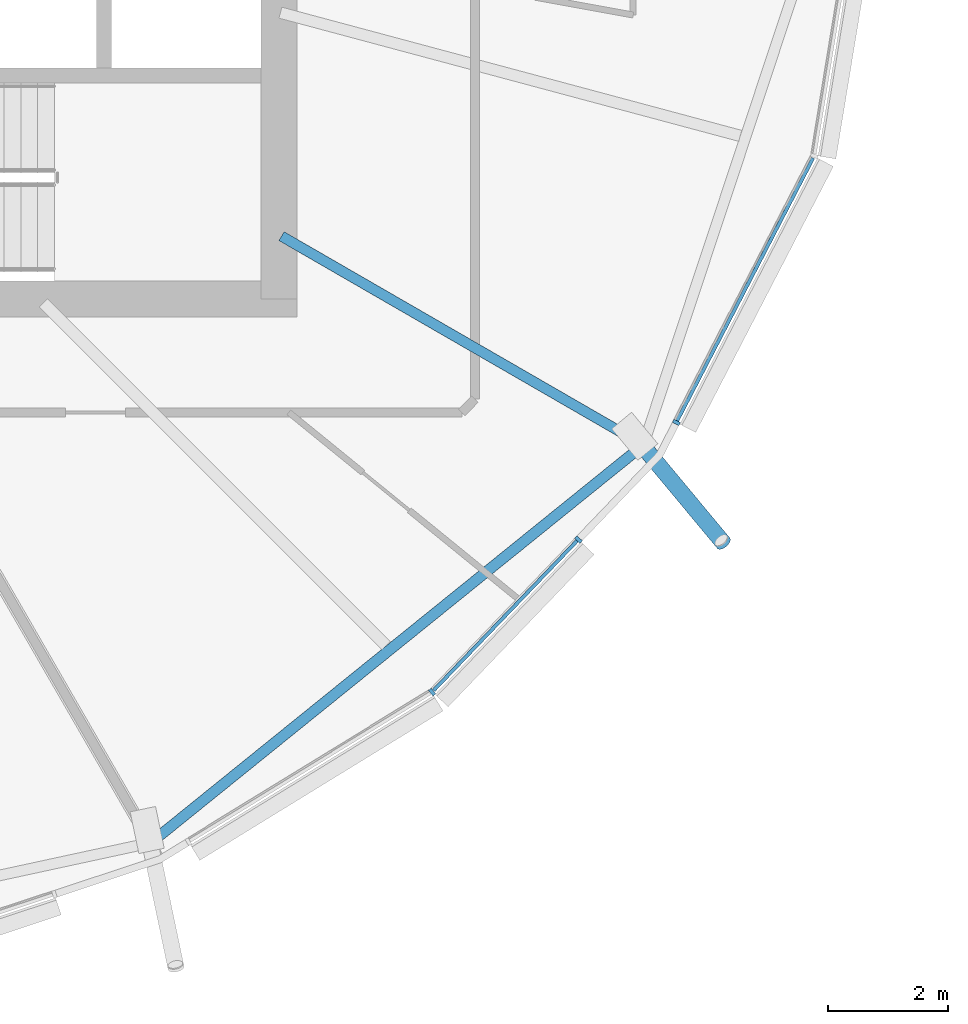
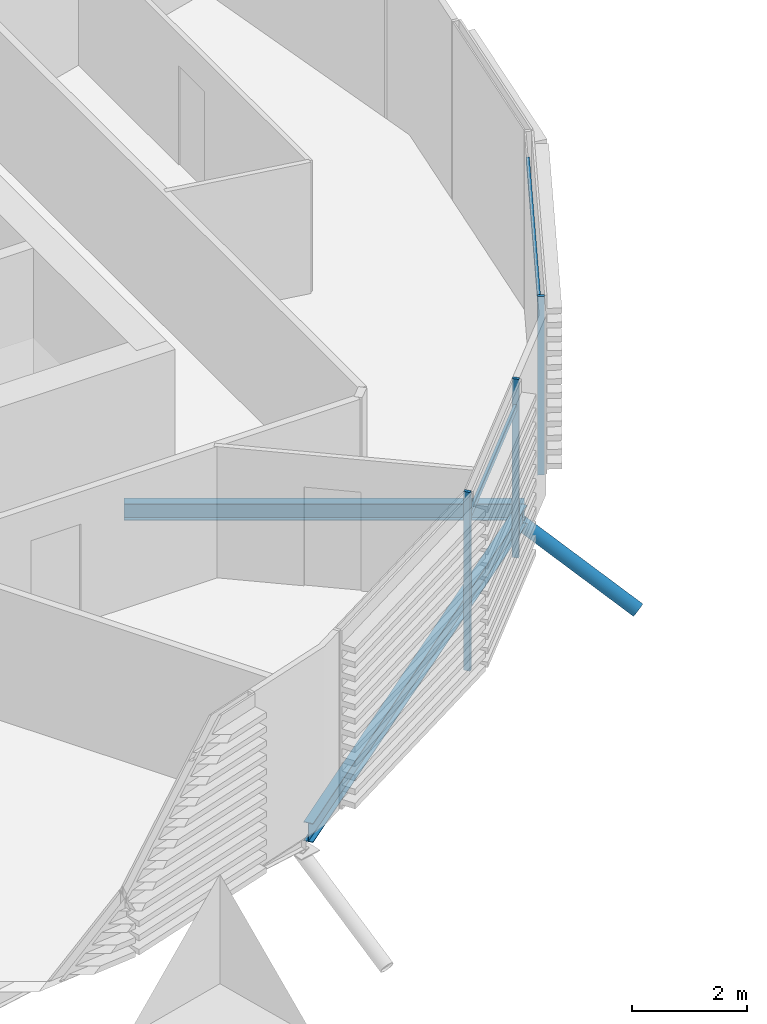
# One storey, part 6 of 38: 6 members, 2 beams, 1 element without a shape of its own.
"""IFC4 building model written with IfcOpenShell, lengths in metres."""

from ifc_helpers import new_model, si_unit, direction, frame, origin, origin_2d, place, context, subcontext, project, spatial, rectangle, hollow_circle, i_section, extrude, clip, halfspace, material, material_profile, profile_set, type_object, element, aggregate, save


model = new_model("IFC4")

# Units and contexts
model_context = context("Model", 3, precision=1e-05, world=origin(), true_north=direction((0.0, 1.0)))
body_context = subcontext(model_context, "Body", "Model", "MODEL_VIEW")
ifc_project = project(units=[si_unit("LENGTHUNIT", "METRE"), si_unit("AREAUNIT", "SQUARE_METRE"), si_unit("VOLUMEUNIT", "CUBIC_METRE"), si_unit("PLANEANGLEUNIT", "RADIAN"), si_unit("MASSUNIT", "GRAM", prefix="KILO")], contexts=[model_context])

# Site, building, storey
site_placement = place(None, origin())
site = spatial("IfcSite", under=ifc_project, at=site_placement, CompositionType="ELEMENT")
building_placement = place(site_placement, origin())
building = spatial("IfcBuilding", under=site, at=building_placement, Name="Rimbun Link Towers", CompositionType="ELEMENT")
storey_placement = place(building_placement, frame((0.0, 0.0, 185.5)))
storey = spatial("IfcBuildingStorey", under=building, at=storey_placement, Name="L45", CompositionType="ELEMENT", Elevation=185.5)

# Curtain wall, members
ifc_material_1 = material(Name="Aluminium 6063-T6 and low-iron glass", Category="aluminium")
curtain_wall_type = type_object("IfcCurtainWallType", Name="CW1-Z3 unitised vision wall (zone 3)", PredefinedType="NOTDEFINED", material=ifc_material_1)
curtain_wall_placement = place(storey_placement, origin())
curtain_wall = element("IfcCurtainWall", 1, at=curtain_wall_placement, inside=storey, type_object=curtain_wall_type, Name="CW1 L45 T1", PredefinedType="NOTDEFINED")
ifc_material_2 = material(Name="Aluminium 6063-T6", Category="aluminium")
ifc_material_profile_1 = material_profile(ifc_material_2, rectangle(XDim=0.1201171875, YDim=0.06005859375, at=origin_2d()), Name="MULLION 60X120")
ifc_profile_set_1 = profile_set([ifc_material_profile_1], Name="Aluminium 6063-T6")
member_type_1 = type_object("IfcMemberType", Name="CW1 mullion 60X120", PredefinedType="MULLION", material=ifc_profile_set_1)
member_1_placement = place(storey_placement, frame((-17.192626953125, -14.56640625, 0.0), z_axis=(0.0, 0.0, 1.0), x_axis=(0.627666301152, -0.778482507445, 0.0)))
member_1 = element("IfcMember", 2, at=member_1_placement, type_object=member_type_1, Name="CW1 mullion", PredefinedType="MULLION", context=body_context, shape_type="SweptSolid", body=[
    extrude(rectangle(XDim=0.1201171875, YDim=0.06005859375, at=origin_2d()), origin(), (0.0, 0.0, 1.0), 3.800048828125),
])
member_2_placement = place(storey_placement, frame((-14.749267578125, -12.018798828125, 0.0), z_axis=(0.0, 0.0, 1.0), x_axis=(0.721842893583, -0.692056960795, 0.0)))
member_2 = element("IfcMember", 3, at=member_2_placement, type_object=member_type_1, Name="CW1 mullion", PredefinedType="MULLION", context=body_context, shape_type="SweptSolid", body=[
    extrude(rectangle(XDim=0.1201171875, YDim=0.06005859375, at=origin_2d()), origin(), (0.0, 0.0, 1.0), 3.800048828125),
])
member_3_placement = place(storey_placement, frame((-13.114013671875, -10.064208984375, 0.0), z_axis=(0.0, 0.0, 1.0), x_axis=(0.88814980284, -0.459554053094, 0.0)))
member_3 = element("IfcMember", 4, at=member_3_placement, type_object=member_type_1, Name="CW1 mullion", PredefinedType="MULLION", context=body_context, shape_type="SweptSolid", body=[
    extrude(rectangle(XDim=0.1201171875, YDim=0.06005859375, at=origin_2d()), origin(), (0.0, 0.0, 1.0), 3.800048828125),
])
ifc_material_3 = material(Name="Aluminium 6063-T6", Category="aluminium")
ifc_material_profile_2 = material_profile(ifc_material_3, rectangle(XDim=0.06005859375, YDim=0.1201171875, at=origin_2d()), Name="TRANSOM 60X120")
ifc_profile_set_2 = profile_set([ifc_material_profile_2], Name="Aluminium 6063-T6")
member_type_2 = type_object("IfcMemberType", Name="CW1 transom 60X120", PredefinedType="USERDEFINED", material=ifc_profile_set_2)
member_4_placement = place(storey_placement, frame((-14.771484375, -12.0390625, 3.199951171875), z_axis=(-0.692035533776, -0.721863435833, 0.0), x_axis=(0.721863435833, -0.692035533776, 0.0)))
member_4 = element("IfcMember", 5, at=member_4_placement, type_object=member_type_2, Name="CW1 transom", ObjectType="TRANSOM", PredefinedType="USERDEFINED", context=body_context, shape_type="SweptSolid", body=[
    extrude(rectangle(XDim=0.06005859375, YDim=0.1201171875, at=origin_2d()), origin(), (0.0, 0.0, 1.0), 3.462158203125),
])
member_5_placement = place(storey_placement, frame((-10.831298828125, -5.648193359375, 3.199951171875), z_axis=(-0.45956270742, -0.888145324791, 0.0), x_axis=(0.888145324791, -0.45956270742, 0.0)))
member_5 = element("IfcMember", 6, at=member_5_placement, type_object=member_type_2, Name="CW1 transom", ObjectType="TRANSOM", PredefinedType="USERDEFINED", context=body_context, shape_type="SweptSolid", body=[
    extrude(rectangle(XDim=0.06005859375, YDim=0.1201171875, at=origin_2d()), origin(), (0.0, 0.0, 1.0), 4.941162109375),
])
aggregate(curtain_wall, [member_1, member_2, member_3, member_4, member_5])

# Member
ifc_material_4 = material(Name="Steel S355J2H", Category="steel")
ifc_material_profile_3 = material_profile(ifc_material_4, hollow_circle(Radius=0.136474609375, WallThickness=0.012451171875, at=origin_2d()), Name="CHS 273x12.5")
ifc_profile_set_3 = profile_set([ifc_material_profile_3], Name="Steel S355J2H")
member_type_3 = type_object("IfcMemberType", Name="Floor edge link CHS 273x12.5", PredefinedType="BRACE", material=ifc_profile_set_3)
member_6_placement = place(storey_placement, frame((-13.709228515625, -10.416015625, -0.62109375), z_axis=(0.545455804483, -0.656165700147, -0.52146384276), x_axis=(0.768998208162, 0.639250933393, 0.0)))
element("IfcMember", 7, at=member_6_placement, inside=storey, type_object=member_type_3, Name="Floor edge link T1 L45 22", PredefinedType="BRACE", context=body_context, shape_type="Clipping", body=[
    clip(extrude(hollow_circle(Radius=0.136474609375, WallThickness=0.012451171875, at=origin_2d()), frame((0.0, 0.0, -0.4658203125)), (0.0, 0.0, 1.0), 2.999755859375), halfspace(frame((0.0, 0.0, -0.21875), z_axis=(0.0, 0.853273379811, -0.52146384276)), False)),
])

# Beams
ifc_material_5 = material(Name="Steel S355J2", Category="steel")
ifc_material_profile_4 = material_profile(ifc_material_5, i_section(OverallWidth=0.17138671875, OverallDepth=0.35498046875, WebThickness=0.00732421875, FlangeThickness=0.011474609375, at=origin_2d()), Name="UB 356x171x51")
ifc_profile_set_4 = profile_set([ifc_material_profile_4], Name="Steel S355J2")
beam_type_1 = type_object("IfcBeamType", Name="UB 356x171x51", PredefinedType="BEAM", material=ifc_profile_set_4)
beam_1_placement = place(storey_placement, frame((-19.706298828125, -6.95361328125, -0.327392578125), z_axis=(0.866028783947, -0.499994145342, 0.0), x_axis=(0.499994145342, 0.866028783947, 0.0)))
element("IfcBeam", 8, at=beam_1_placement, inside=storey, type_object=beam_type_1, Name="Radial beam T1 L45 22", PredefinedType="BEAM", context=body_context, shape_type="SweptSolid", body=[
    extrude(i_section(OverallWidth=0.17138671875, OverallDepth=0.35498046875, WebThickness=0.00732421875, FlangeThickness=0.011474609375, at=origin_2d()), origin(), (0.0, 0.0, 1.0), 6.974609375),
])
ifc_material_6 = material(Name="Steel S355J2", Category="steel")
ifc_material_profile_5 = material_profile(ifc_material_6, i_section(OverallWidth=0.177978515625, OverallDepth=0.406494140625, WebThickness=0.0078125, FlangeThickness=0.0126953125, at=origin_2d()), Name="UB 406x178x60")
ifc_profile_set_5 = profile_set([ifc_material_profile_5], Name="Steel S355J2")
beam_type_2 = type_object("IfcBeamType", Name="UB 406x178x60", PredefinedType="BEAM", material=ifc_profile_set_5)
beam_2_placement = place(storey_placement, frame((-21.805419921875, -17.013427734375, -0.353271484375), z_axis=(0.778016870357, 0.62824338392, 0.0), x_axis=(-0.62824338392, 0.778016870357, 0.0)))
element("IfcBeam", 9, at=beam_2_placement, inside=storey, type_object=beam_type_2, Name="Edge beam T1 L45 20-22", PredefinedType="BEAM", context=body_context, shape_type="SweptSolid", body=[
    extrude(i_section(OverallWidth=0.177978515625, OverallDepth=0.406494140625, WebThickness=0.0078125, FlangeThickness=0.0126953125, at=origin_2d()), origin(), (0.0, 0.0, 1.0), 10.368896484375),
])

save(model, "model.ifc")
